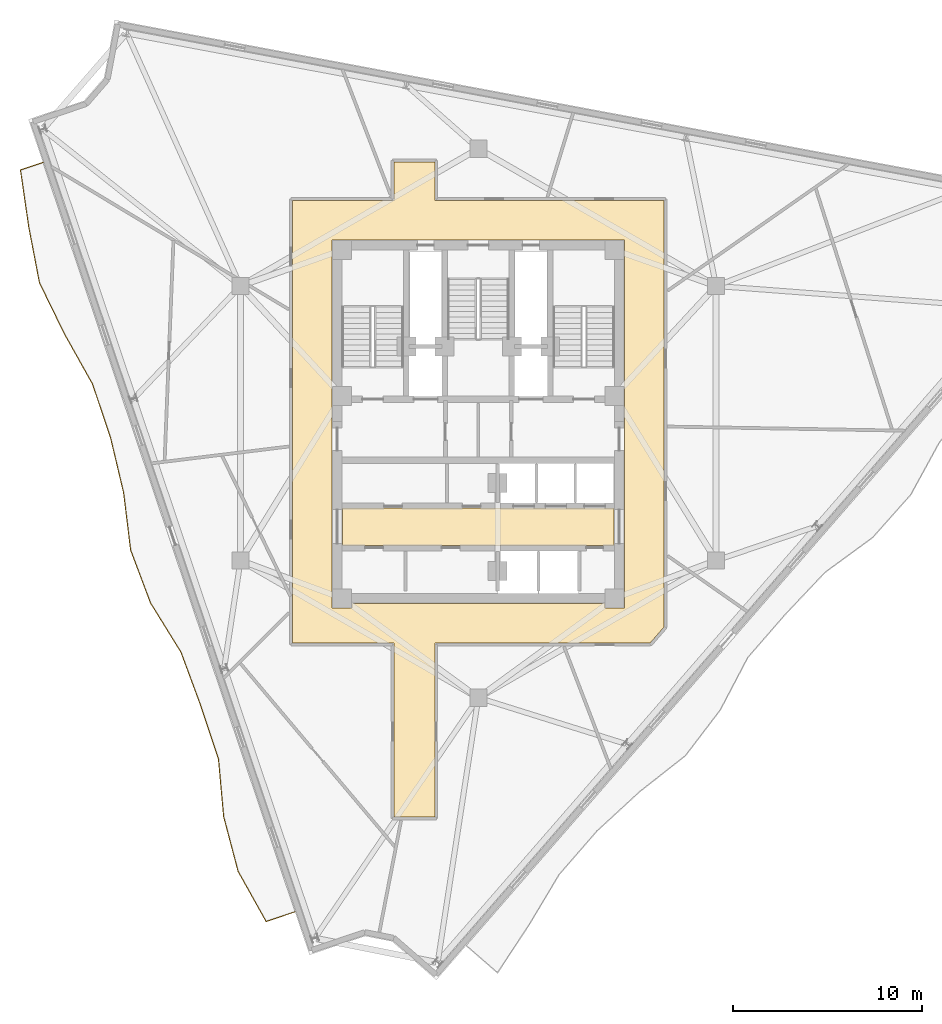
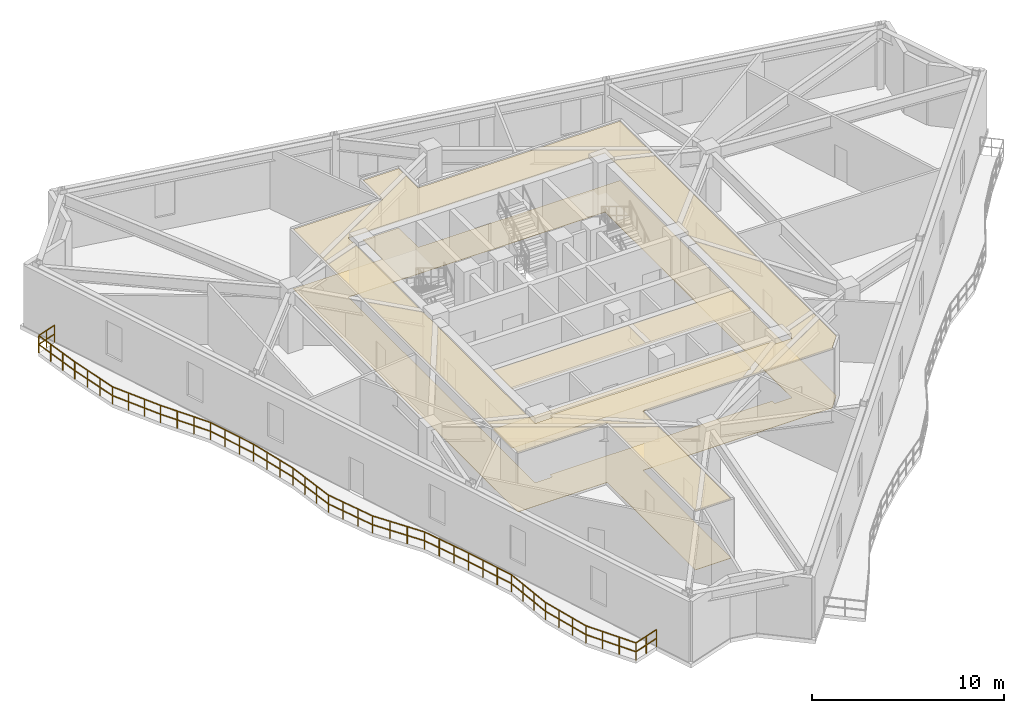
# One storey, part 8 of 10: 4 coverings, 1 railing.
"""IFC4 building model written with IfcOpenShell, lengths in metres."""

from ifc_helpers import new_model, si_unit, direction, frame, origin, origin_2d, place, context, subcontext, project, spatial, polyline, rectangle, outline, extrude, material, layer, layer_set, type_object, element, save


model = new_model("IFC4")

# Units and contexts
model_context = context("Model", 3, precision=1e-05, world=origin(), true_north=direction((0.0, 1.0)))
body_context = subcontext(model_context, "Body", "Model", "MODEL_VIEW")
ifc_project = project(units=[si_unit("LENGTHUNIT", "METRE"), si_unit("AREAUNIT", "SQUARE_METRE"), si_unit("VOLUMEUNIT", "CUBIC_METRE"), si_unit("PLANEANGLEUNIT", "RADIAN"), si_unit("MASSUNIT", "GRAM", prefix="KILO")], contexts=[model_context])

# Site, building, storey
site_placement = place(None, origin())
site = spatial("IfcSite", under=ifc_project, at=site_placement, CompositionType="ELEMENT")
building_placement = place(site_placement, origin())
building = spatial("IfcBuilding", under=site, at=building_placement, Name="Apsidion Concourse Tower", CompositionType="ELEMENT")
storey_placement = place(building_placement, frame((0.0, 0.0, 269.60009765625)))
storey = spatial("IfcBuildingStorey", under=building, at=storey_placement, Name="L63", CompositionType="ELEMENT", Elevation=269.60009765625)

# Coverings
ifc_material_1 = material(Name="Acoustic mineral fibre ceiling")
ifc_layer_1 = layer(ifc_material_1, 0.0400390625)
ifc_layer_set_1 = layer_set([ifc_layer_1], Name="Acoustic mineral fibre ceiling")
covering_type_1 = type_object("IfcCoveringType", Name="COV-CEIL-40", PredefinedType="CEILING", material=ifc_layer_set_1)
covering_1_placement = place(storey_placement, frame((0.0, 0.0, 3.75)))
element("IfcCovering", 1, at=covering_1_placement, inside=storey, type_object=covering_type_1, Name="L63 Acoustic Ceiling Grid 1", PredefinedType="CEILING", context=body_context, shape_type="SweptSolid", body=[
    extrude(outline(polyline([(-7.179931640625, -6.449951171875), (-7.179931640625, -4.47998046875), (7.179931640625, -4.47998046875), (7.179931640625, -6.449951171875), (-7.179931640625, -6.449951171875)])), origin(), (0.0, 0.0, 1.0), 0.039794921875),
])
covering_2_placement = place(storey_placement, frame((0.0, 0.0, 3.75)))
element("IfcCovering", 2, at=covering_2_placement, inside=storey, type_object=covering_type_1, Name="L63 Acoustic Ceiling Grid 2", PredefinedType="CEILING", context=body_context, shape_type="SweptSolid", body=[
    extrude(outline(polyline([(-9.820068359375, -11.6201171875), (-9.820068359375, 11.77001953125), (-4.449951171875, 11.77001953125), (-4.449951171875, 13.800048828125), (-2.300048828125, 13.800048828125), (-2.300048828125, 11.77001953125), (9.820068359375, 11.77001953125), (9.820068359375, -10.75341796875), (9.06689453125, -11.6201171875), (-2.300048828125, -11.6201171875), (-2.300048828125, -20.800048828125), (-4.449951171875, -20.800048828125), (-4.449951171875, -11.6201171875), (-9.820068359375, -11.6201171875)]), holes=[polyline([(7.699951171875, 9.669921875), (6.699951171875, 9.669921875), (-2.300048828125, 9.669921875), (-4.449951171875, 9.669921875), (-6.699951171875, 9.669921875), (-7.699951171875, 9.669921875), (-7.719970703125, 9.669921875), (-7.719970703125, 9.64990234375), (-7.719970703125, 8.64990234375), (-7.719970703125, 1.949951171875), (-7.719970703125, 0.949951171875), (-7.719970703125, -8.75), (-7.719970703125, -9.52001953125), (-7.719970703125, -9.75), (-7.719970703125, -9.751953125), (-7.719482421875, -9.75390625), (-7.718994140625, -9.755859375), (-7.718505859375, -9.7578125), (-7.717529296875, -9.759521484375), (-7.716552734375, -9.760986328125), (-7.715576171875, -9.7626953125), (-7.714111328125, -9.76416015625), (-7.712646484375, -9.765380859375), (-7.711181640625, -9.7666015625), (-7.70947265625, -9.767578125), (-7.707763671875, -9.7685546875), (-7.705810546875, -9.76904296875), (-7.703857421875, -9.76953125), (-7.701904296875, -9.77001953125), (-7.699951171875, -9.77001953125), (-6.699951171875, -9.77001953125), (-6.697998046875, -9.77001953125), (-6.696044921875, -9.76953125), (-6.694091796875, -9.76904296875), (-6.6923828125, -9.7685546875), (-6.690673828125, -9.767578125), (-6.68896484375, -9.7666015625), (-6.687255859375, -9.765380859375), (-6.685791015625, -9.76416015625), (-6.6845703125, -9.7626953125), (-6.683349609375, -9.760986328125), (-6.682373046875, -9.759521484375), (-6.681396484375, -9.7578125), (-6.680908203125, -9.755859375), (-6.680419921875, -9.75390625), (-6.68017578125, -9.751953125), (-6.679931640625, -9.75), (-6.679931640625, -9.52001953125), (-4.449951171875, -9.52001953125), (-2.300048828125, -9.52001953125), (6.679931640625, -9.52001953125), (6.679931640625, -9.75), (6.68017578125, -9.751953125), (6.680419921875, -9.75390625), (6.680908203125, -9.755859375), (6.681396484375, -9.7578125), (6.682373046875, -9.759521484375), (6.683349609375, -9.760986328125), (6.6845703125, -9.7626953125), (6.685791015625, -9.76416015625), (6.687255859375, -9.765380859375), (6.68896484375, -9.7666015625), (6.690673828125, -9.767578125), (6.6923828125, -9.7685546875), (6.694091796875, -9.76904296875), (6.696044921875, -9.76953125), (6.697998046875, -9.77001953125), (6.699951171875, -9.77001953125), (7.699951171875, -9.77001953125), (7.701904296875, -9.77001953125), (7.703857421875, -9.76953125), (7.705810546875, -9.76904296875), (7.707763671875, -9.7685546875), (7.70947265625, -9.767578125), (7.711181640625, -9.7666015625), (7.712646484375, -9.765380859375), (7.714111328125, -9.76416015625), (7.715576171875, -9.7626953125), (7.716552734375, -9.760986328125), (7.717529296875, -9.759521484375), (7.718505859375, -9.7578125), (7.718994140625, -9.755859375), (7.719482421875, -9.75390625), (7.719970703125, -9.751953125), (7.719970703125, -9.75), (7.719970703125, -9.52001953125), (7.719970703125, -8.75), (7.719970703125, 0.949951171875), (7.719970703125, 1.949951171875), (7.719970703125, 8.64990234375), (7.719970703125, 9.64990234375), (7.719970703125, 9.669921875), (7.699951171875, 9.669921875)])]), origin(), (0.0, 0.0, 1.0), 0.039794921875),
])
ifc_material_2 = material(Name="Honed travertine floor finish", Category="masonry")
ifc_layer_2 = layer(ifc_material_2, 0.02001953125)
ifc_layer_set_2 = layer_set([ifc_layer_2], Name="Honed travertine floor finish")
covering_type_2 = type_object("IfcCoveringType", Name="COV-FLOR-20", PredefinedType="FLOORING", material=ifc_layer_set_2)
covering_3_placement = place(storey_placement, origin())
element("IfcCovering", 3, at=covering_3_placement, inside=storey, type_object=covering_type_2, Name="L63 Honed Travertine Floor Finish 1", PredefinedType="FLOORING", context=body_context, shape_type="SweptSolid", body=[
    extrude(outline(polyline([(-7.179931640625, -6.449951171875), (-7.179931640625, -4.47998046875), (7.179931640625, -4.47998046875), (7.179931640625, -6.449951171875), (-7.179931640625, -6.449951171875)])), origin(), (0.0, 0.0, 1.0), 0.02001953125),
])
covering_4_placement = place(storey_placement, origin())
element("IfcCovering", 4, at=covering_4_placement, inside=storey, type_object=covering_type_2, Name="L63 Honed Travertine Floor Finish 2", PredefinedType="FLOORING", context=body_context, shape_type="SweptSolid", body=[
    extrude(outline(polyline([(-9.820068359375, -11.6201171875), (-9.820068359375, 11.77001953125), (-4.449951171875, 11.77001953125), (-4.449951171875, 13.800048828125), (-2.300048828125, 13.800048828125), (-2.300048828125, 11.77001953125), (9.820068359375, 11.77001953125), (9.820068359375, -10.75341796875), (9.06689453125, -11.6201171875), (-2.300048828125, -11.6201171875), (-2.300048828125, -20.800048828125), (-4.449951171875, -20.800048828125), (-4.449951171875, -11.6201171875), (-9.820068359375, -11.6201171875)]), holes=[polyline([(7.699951171875, 9.669921875), (6.699951171875, 9.669921875), (-2.300048828125, 9.669921875), (-4.449951171875, 9.669921875), (-6.699951171875, 9.669921875), (-7.699951171875, 9.669921875), (-7.719970703125, 9.669921875), (-7.719970703125, 9.64990234375), (-7.719970703125, 8.64990234375), (-7.719970703125, 1.949951171875), (-7.719970703125, 0.949951171875), (-7.719970703125, -8.75), (-7.719970703125, -9.52001953125), (-7.719970703125, -9.75), (-7.719970703125, -9.751953125), (-7.719482421875, -9.75390625), (-7.718994140625, -9.755859375), (-7.718505859375, -9.7578125), (-7.717529296875, -9.759521484375), (-7.716552734375, -9.760986328125), (-7.715576171875, -9.7626953125), (-7.714111328125, -9.76416015625), (-7.712646484375, -9.765380859375), (-7.711181640625, -9.7666015625), (-7.70947265625, -9.767578125), (-7.707763671875, -9.7685546875), (-7.705810546875, -9.76904296875), (-7.703857421875, -9.76953125), (-7.701904296875, -9.77001953125), (-7.699951171875, -9.77001953125), (-6.699951171875, -9.77001953125), (-6.697998046875, -9.77001953125), (-6.696044921875, -9.76953125), (-6.694091796875, -9.76904296875), (-6.6923828125, -9.7685546875), (-6.690673828125, -9.767578125), (-6.68896484375, -9.7666015625), (-6.687255859375, -9.765380859375), (-6.685791015625, -9.76416015625), (-6.6845703125, -9.7626953125), (-6.683349609375, -9.760986328125), (-6.682373046875, -9.759521484375), (-6.681396484375, -9.7578125), (-6.680908203125, -9.755859375), (-6.680419921875, -9.75390625), (-6.68017578125, -9.751953125), (-6.679931640625, -9.75), (-6.679931640625, -9.52001953125), (-4.449951171875, -9.52001953125), (-2.300048828125, -9.52001953125), (6.679931640625, -9.52001953125), (6.679931640625, -9.75), (6.68017578125, -9.751953125), (6.680419921875, -9.75390625), (6.680908203125, -9.755859375), (6.681396484375, -9.7578125), (6.682373046875, -9.759521484375), (6.683349609375, -9.760986328125), (6.6845703125, -9.7626953125), (6.685791015625, -9.76416015625), (6.687255859375, -9.765380859375), (6.68896484375, -9.7666015625), (6.690673828125, -9.767578125), (6.6923828125, -9.7685546875), (6.694091796875, -9.76904296875), (6.696044921875, -9.76953125), (6.697998046875, -9.77001953125), (6.699951171875, -9.77001953125), (7.699951171875, -9.77001953125), (7.701904296875, -9.77001953125), (7.703857421875, -9.76953125), (7.705810546875, -9.76904296875), (7.707763671875, -9.7685546875), (7.70947265625, -9.767578125), (7.711181640625, -9.7666015625), (7.712646484375, -9.765380859375), (7.714111328125, -9.76416015625), (7.715576171875, -9.7626953125), (7.716552734375, -9.760986328125), (7.717529296875, -9.759521484375), (7.718505859375, -9.7578125), (7.718994140625, -9.755859375), (7.719482421875, -9.75390625), (7.719970703125, -9.751953125), (7.719970703125, -9.75), (7.719970703125, -9.52001953125), (7.719970703125, -8.75), (7.719970703125, 0.949951171875), (7.719970703125, 1.949951171875), (7.719970703125, 8.64990234375), (7.719970703125, 9.64990234375), (7.719970703125, 9.669921875), (7.699951171875, 9.669921875)])]), origin(), (0.0, 0.0, 1.0), 0.02001953125),
])

# Railing
ifc_material_3 = material(Name="Brushed stainless steel 316", Category="steel")
railing_type = type_object("IfcRailingType", Name="RL-BAL-1120", PredefinedType="BALUSTRADE", material=ifc_material_3)
railing_placement = place(storey_placement, frame((-9.681396484375, -25.806884765625, 0.0)))
element("IfcRailing", 5, at=railing_placement, inside=storey, type_object=railing_type, Name="L63 Face 1 Rippling Balcony Balustrade", PredefinedType="BALUSTRADE", context=body_context, shape_type="SweptSolid", body=[
    extrude(rectangle(XDim=0.048095703125, YDim=0.048095703125, at=origin_2d()), frame((0.0, 0.0, 1.09619140625), z_axis=(-0.947831031044, -0.318773174202, 0.0), x_axis=(0.318773174202, -0.947831031044, 0.0)), (0.0, 0.0, 1.0), 1.610595703125),
    extrude(rectangle(XDim=0.048095703125, YDim=0.048095703125, at=origin_2d()), frame((0.0, 0.0, 0.5361328125), z_axis=(-0.947831031044, -0.318773174202, 0.0), x_axis=(0.318773174202, -0.947831031044, 0.0)), (0.0, 0.0, 1.0), 1.610595703125),
    extrude(rectangle(XDim=0.048095703125, YDim=0.048095703125, at=origin_2d()), frame((-1.526611328125, -0.513427734375, 1.09619140625), z_axis=(-0.488052119207, 0.872814487126, 0.0), x_axis=(-0.872814487126, -0.488052119207, 0.0)), (0.0, 0.0, 1.0), 3.034912109375),
    extrude(rectangle(XDim=0.048095703125, YDim=0.048095703125, at=origin_2d()), frame((-1.526611328125, -0.513427734375, 0.5361328125), z_axis=(-0.488052119207, 0.872814487126, 0.0), x_axis=(-0.872814487126, -0.488052119207, 0.0)), (0.0, 0.0, 1.0), 3.034912109375),
    extrude(rectangle(XDim=0.048095703125, YDim=0.048095703125, at=origin_2d()), frame((-3.0078125, 2.135498046875, 1.09619140625), z_axis=(-0.255369517298, 0.966843529034, 0.0), x_axis=(-0.966843529034, -0.255369517298, 0.0)), (0.0, 0.0, 1.0), 2.989501953125),
    extrude(rectangle(XDim=0.048095703125, YDim=0.048095703125, at=origin_2d()), frame((-3.0078125, 2.135498046875, 0.5361328125), z_axis=(-0.255369517298, 0.966843529034, 0.0), x_axis=(-0.966843529034, -0.255369517298, 0.0)), (0.0, 0.0, 1.0), 2.989501953125),
    extrude(rectangle(XDim=0.048095703125, YDim=0.048095703125, at=origin_2d()), frame((-3.771240234375, 5.02587890625, 1.09619140625), z_axis=(-0.089624277013, 0.995975646775, 0.0), x_axis=(-0.995975646775, -0.089624277013, 0.0)), (0.0, 0.0, 1.0), 3.0673828125),
    extrude(rectangle(XDim=0.048095703125, YDim=0.048095703125, at=origin_2d()), frame((-3.771240234375, 5.02587890625, 0.5361328125), z_axis=(-0.089624277013, 0.995975646775, 0.0), x_axis=(-0.995975646775, -0.089624277013, 0.0)), (0.0, 0.0, 1.0), 3.0673828125),
    extrude(rectangle(XDim=0.048095703125, YDim=0.048095703125, at=origin_2d()), frame((-4.046142578125, 8.080810546875, 1.09619140625), z_axis=(-0.316399628189, 0.948625993362, 0.0), x_axis=(-0.948625993362, -0.316399628189, 0.0)), (0.0, 0.0, 1.0), 2.983154296875),
    extrude(rectangle(XDim=0.048095703125, YDim=0.048095703125, at=origin_2d()), frame((-4.046142578125, 8.080810546875, 0.5361328125), z_axis=(-0.316399628189, 0.948625993362, 0.0), x_axis=(-0.948625993362, -0.316399628189, 0.0)), (0.0, 0.0, 1.0), 2.983154296875),
    extrude(rectangle(XDim=0.048095703125, YDim=0.048095703125, at=origin_2d()), frame((-4.989990234375, 10.91064453125, 1.09619140625), z_axis=(-0.346618846291, 0.938006063624, 0.0), x_axis=(-0.938006063624, -0.346618846291, 0.0)), (0.0, 0.0, 1.0), 2.984375),
    extrude(rectangle(XDim=0.048095703125, YDim=0.048095703125, at=origin_2d()), frame((-4.989990234375, 10.91064453125, 0.5361328125), z_axis=(-0.346618846291, 0.938006063624, 0.0), x_axis=(-0.938006063624, -0.346618846291, 0.0)), (0.0, 0.0, 1.0), 2.984375),
    extrude(rectangle(XDim=0.048095703125, YDim=0.048095703125, at=origin_2d()), frame((-6.0244140625, 13.7099609375, 1.09619140625), z_axis=(-0.525808467121, 0.850602995471, 0.0), x_axis=(-0.850602995471, -0.525808467121, 0.0)), (0.0, 0.0, 1.0), 3.06298828125),
    extrude(rectangle(XDim=0.048095703125, YDim=0.048095703125, at=origin_2d()), frame((-6.0244140625, 13.7099609375, 0.5361328125), z_axis=(-0.525808467121, 0.850602995471, 0.0), x_axis=(-0.850602995471, -0.525808467121, 0.0)), (0.0, 0.0, 1.0), 3.06298828125),
    extrude(rectangle(XDim=0.048095703125, YDim=0.048095703125, at=origin_2d()), frame((-7.635009765625, 16.3154296875, 1.09619140625), z_axis=(-0.352019597861, 0.93599262963, 0.0), x_axis=(-0.93599262963, -0.352019597861, 0.0)), (0.0, 0.0, 1.0), 2.985107421875),
    extrude(rectangle(XDim=0.048095703125, YDim=0.048095703125, at=origin_2d()), frame((-7.635009765625, 16.3154296875, 0.5361328125), z_axis=(-0.352019597861, 0.93599262963, 0.0), x_axis=(-0.93599262963, -0.352019597861, 0.0)), (0.0, 0.0, 1.0), 2.985107421875),
    extrude(rectangle(XDim=0.048095703125, YDim=0.048095703125, at=origin_2d()), frame((-8.685791015625, 19.109375, 1.09619140625), z_axis=(-0.12113336782, 0.992636241128, 0.0), x_axis=(-0.992636241128, -0.12113336782, 0.0)), (0.0, 0.0, 1.0), 3.04541015625),
    extrude(rectangle(XDim=0.048095703125, YDim=0.048095703125, at=origin_2d()), frame((-8.685791015625, 19.109375, 0.5361328125), z_axis=(-0.12113336782, 0.992636241128, 0.0), x_axis=(-0.992636241128, -0.12113336782, 0.0)), (0.0, 0.0, 1.0), 3.04541015625),
    extrude(rectangle(XDim=0.048095703125, YDim=0.048095703125, at=origin_2d()), frame((-9.0546875, 22.13232421875, 1.09619140625), z_axis=(-0.23087860013, 0.972982565107, 0.0), x_axis=(-0.972982565107, -0.23087860013, 0.0)), (0.0, 0.0, 1.0), 2.995849609375),
    extrude(rectangle(XDim=0.048095703125, YDim=0.048095703125, at=origin_2d()), frame((-9.0546875, 22.13232421875, 0.5361328125), z_axis=(-0.23087860013, 0.972982565107, 0.0), x_axis=(-0.972982565107, -0.23087860013, 0.0)), (0.0, 0.0, 1.0), 2.995849609375),
    extrude(rectangle(XDim=0.048095703125, YDim=0.048095703125, at=origin_2d()), frame((-9.746337890625, 25.047119140625, 1.09619140625), z_axis=(-0.318878393992, 0.947795637173, 0.0), x_axis=(-0.947795637173, -0.318878393992, 0.0)), (0.0, 0.0, 1.0), 2.98291015625),
    extrude(rectangle(XDim=0.048095703125, YDim=0.048095703125, at=origin_2d()), frame((-9.746337890625, 25.047119140625, 0.5361328125), z_axis=(-0.318878393992, 0.947795637173, 0.0), x_axis=(-0.947795637173, -0.318878393992, 0.0)), (0.0, 0.0, 1.0), 2.98291015625),
    extrude(rectangle(XDim=0.048095703125, YDim=0.048095703125, at=origin_2d()), frame((-10.697509765625, 27.874267578125, 1.09619140625), z_axis=(-0.488515200131, 0.872555384627, 0.0), x_axis=(-0.872555384627, -0.488515200131, 0.0)), (0.0, 0.0, 1.0), 3.03564453125),
    extrude(rectangle(XDim=0.048095703125, YDim=0.048095703125, at=origin_2d()), frame((-10.697509765625, 27.874267578125, 0.5361328125), z_axis=(-0.488515200131, 0.872555384627, 0.0), x_axis=(-0.872555384627, -0.488515200131, 0.0)), (0.0, 0.0, 1.0), 3.03564453125),
    extrude(rectangle(XDim=0.048095703125, YDim=0.048095703125, at=origin_2d()), frame((-12.180419921875, 30.52294921875, 1.09619140625), z_axis=(-0.438818535332, 0.898575702459, 0.0), x_axis=(-0.898575702459, -0.438818535332, 0.0)), (0.0, 0.0, 1.0), 3.00830078125),
    extrude(rectangle(XDim=0.048095703125, YDim=0.048095703125, at=origin_2d()), frame((-12.180419921875, 30.52294921875, 0.5361328125), z_axis=(-0.438818535332, 0.898575702459, 0.0), x_axis=(-0.898575702459, -0.438818535332, 0.0)), (0.0, 0.0, 1.0), 3.00830078125),
    extrude(rectangle(XDim=0.048095703125, YDim=0.048095703125, at=origin_2d()), frame((-13.50048828125, 33.22607421875, 1.09619140625), z_axis=(-0.188468389133, 0.982079256627, 0.0), x_axis=(-0.982079256627, -0.188468389133, 0.0)), (0.0, 0.0, 1.0), 3.010498046875),
    extrude(rectangle(XDim=0.048095703125, YDim=0.048095703125, at=origin_2d()), frame((-13.50048828125, 33.22607421875, 0.5361328125), z_axis=(-0.188468389133, 0.982079256627, 0.0), x_axis=(-0.982079256627, -0.188468389133, 0.0)), (0.0, 0.0, 1.0), 3.010498046875),
    extrude(rectangle(XDim=0.048095703125, YDim=0.048095703125, at=origin_2d()), frame((-14.06787109375, 36.1826171875, 1.09619140625), z_axis=(-0.143393643859, 0.989665732912, 0.0), x_axis=(-0.989665732912, -0.143393643859, 0.0)), (0.0, 0.0, 1.0), 3.0322265625),
    extrude(rectangle(XDim=0.048095703125, YDim=0.048095703125, at=origin_2d()), frame((-14.06787109375, 36.1826171875, 0.5361328125), z_axis=(-0.143393643859, 0.989665732912, 0.0), x_axis=(-0.989665732912, -0.143393643859, 0.0)), (0.0, 0.0, 1.0), 3.0322265625),
    extrude(rectangle(XDim=0.048095703125, YDim=0.048095703125, at=origin_2d()), frame((-14.502685546875, 39.18359375, 1.09619140625), z_axis=(0.947761229597, 0.318980644669, 0.0), x_axis=(-0.318980644669, 0.947761229597, 0.0)), (0.0, 0.0, 1.0), 1.249755859375),
    extrude(rectangle(XDim=0.048095703125, YDim=0.048095703125, at=origin_2d()), frame((-14.502685546875, 39.18359375, 0.5361328125), z_axis=(0.947761229597, 0.318980644669, 0.0), x_axis=(-0.318980644669, 0.947761229597, 0.0)), (0.0, 0.0, 1.0), 1.249755859375),
    extrude(rectangle(XDim=0.0419921875, YDim=0.0419921875, at=origin_2d()), origin(), (0.0, 0.0, 1.0), 1.072021484375),
    extrude(rectangle(XDim=0.0419921875, YDim=0.0419921875, at=origin_2d()), frame((-0.76318359375, -0.2568359375, 0.0)), (0.0, 0.0, 1.0), 1.072021484375),
    extrude(rectangle(XDim=0.0419921875, YDim=0.0419921875, at=origin_2d()), frame((-1.526611328125, -0.513427734375, 0.0)), (0.0, 0.0, 1.0), 1.072021484375),
    extrude(rectangle(XDim=0.0419921875, YDim=0.0419921875, at=origin_2d()), frame((-2.020263671875, 0.36962890625, 0.0)), (0.0, 0.0, 1.0), 1.072021484375),
    extrude(rectangle(XDim=0.0419921875, YDim=0.0419921875, at=origin_2d()), frame((-2.51416015625, 1.25244140625, 0.0)), (0.0, 0.0, 1.0), 1.072021484375),
    extrude(rectangle(XDim=0.0419921875, YDim=0.0419921875, at=origin_2d()), frame((-3.0078125, 2.135498046875, 0.0)), (0.0, 0.0, 1.0), 1.072021484375),
    extrude(rectangle(XDim=0.0419921875, YDim=0.0419921875, at=origin_2d()), frame((-3.26220703125, 3.098876953125, 0.0)), (0.0, 0.0, 1.0), 1.072021484375),
    extrude(rectangle(XDim=0.0419921875, YDim=0.0419921875, at=origin_2d()), frame((-3.516845703125, 4.0625, 0.0)), (0.0, 0.0, 1.0), 1.072021484375),
    extrude(rectangle(XDim=0.0419921875, YDim=0.0419921875, at=origin_2d()), frame((-3.771240234375, 5.02587890625, 0.0)), (0.0, 0.0, 1.0), 1.072021484375),
    extrude(rectangle(XDim=0.0419921875, YDim=0.0419921875, at=origin_2d()), frame((-3.86279296875, 6.044189453125, 0.0)), (0.0, 0.0, 1.0), 1.072021484375),
    extrude(rectangle(XDim=0.0419921875, YDim=0.0419921875, at=origin_2d()), frame((-3.95458984375, 7.0625, 0.0)), (0.0, 0.0, 1.0), 1.072021484375),
    extrude(rectangle(XDim=0.0419921875, YDim=0.0419921875, at=origin_2d()), frame((-4.046142578125, 8.080810546875, 0.0)), (0.0, 0.0, 1.0), 1.072021484375),
    extrude(rectangle(XDim=0.0419921875, YDim=0.0419921875, at=origin_2d()), frame((-4.36083984375, 9.024169921875, 0.0)), (0.0, 0.0, 1.0), 1.072021484375),
    extrude(rectangle(XDim=0.0419921875, YDim=0.0419921875, at=origin_2d()), frame((-4.67529296875, 9.96728515625, 0.0)), (0.0, 0.0, 1.0), 1.072021484375),
    extrude(rectangle(XDim=0.0419921875, YDim=0.0419921875, at=origin_2d()), frame((-4.989990234375, 10.91064453125, 0.0)), (0.0, 0.0, 1.0), 1.072021484375),
    extrude(rectangle(XDim=0.0419921875, YDim=0.0419921875, at=origin_2d()), frame((-5.334716796875, 11.84375, 0.0)), (0.0, 0.0, 1.0), 1.072021484375),
    extrude(rectangle(XDim=0.0419921875, YDim=0.0419921875, at=origin_2d()), frame((-5.6796875, 12.77685546875, 0.0)), (0.0, 0.0, 1.0), 1.072021484375),
    extrude(rectangle(XDim=0.0419921875, YDim=0.0419921875, at=origin_2d()), frame((-6.0244140625, 13.7099609375, 0.0)), (0.0, 0.0, 1.0), 1.072021484375),
    extrude(rectangle(XDim=0.0419921875, YDim=0.0419921875, at=origin_2d()), frame((-6.561279296875, 14.578369140625, 0.0)), (0.0, 0.0, 1.0), 1.072021484375),
    extrude(rectangle(XDim=0.0419921875, YDim=0.0419921875, at=origin_2d()), frame((-7.09814453125, 15.447021484375, 0.0)), (0.0, 0.0, 1.0), 1.072021484375),
    extrude(rectangle(XDim=0.0419921875, YDim=0.0419921875, at=origin_2d()), frame((-7.635009765625, 16.3154296875, 0.0)), (0.0, 0.0, 1.0), 1.072021484375),
    extrude(rectangle(XDim=0.0419921875, YDim=0.0419921875, at=origin_2d()), frame((-7.9853515625, 17.246826171875, 0.0)), (0.0, 0.0, 1.0), 1.072021484375),
    extrude(rectangle(XDim=0.0419921875, YDim=0.0419921875, at=origin_2d()), frame((-8.33544921875, 18.177978515625, 0.0)), (0.0, 0.0, 1.0), 1.072021484375),
    extrude(rectangle(XDim=0.0419921875, YDim=0.0419921875, at=origin_2d()), frame((-8.685791015625, 19.109375, 0.0)), (0.0, 0.0, 1.0), 1.072021484375),
    extrude(rectangle(XDim=0.0419921875, YDim=0.0419921875, at=origin_2d()), frame((-8.808837890625, 20.116943359375, 0.0)), (0.0, 0.0, 1.0), 1.072021484375),
    extrude(rectangle(XDim=0.0419921875, YDim=0.0419921875, at=origin_2d()), frame((-8.931640625, 21.124755859375, 0.0)), (0.0, 0.0, 1.0), 1.072021484375),
    extrude(rectangle(XDim=0.0419921875, YDim=0.0419921875, at=origin_2d()), frame((-9.0546875, 22.13232421875, 0.0)), (0.0, 0.0, 1.0), 1.072021484375),
    extrude(rectangle(XDim=0.0419921875, YDim=0.0419921875, at=origin_2d()), frame((-9.28515625, 23.10400390625, 0.0)), (0.0, 0.0, 1.0), 1.072021484375),
    extrude(rectangle(XDim=0.0419921875, YDim=0.0419921875, at=origin_2d()), frame((-9.515869140625, 24.075439453125, 0.0)), (0.0, 0.0, 1.0), 1.072021484375),
    extrude(rectangle(XDim=0.0419921875, YDim=0.0419921875, at=origin_2d()), frame((-9.746337890625, 25.047119140625, 0.0)), (0.0, 0.0, 1.0), 1.072021484375),
    extrude(rectangle(XDim=0.0419921875, YDim=0.0419921875, at=origin_2d()), frame((-10.0634765625, 25.989501953125, 0.0)), (0.0, 0.0, 1.0), 1.072021484375),
    extrude(rectangle(XDim=0.0419921875, YDim=0.0419921875, at=origin_2d()), frame((-10.38037109375, 26.931884765625, 0.0)), (0.0, 0.0, 1.0), 1.072021484375),
    extrude(rectangle(XDim=0.0419921875, YDim=0.0419921875, at=origin_2d()), frame((-10.697509765625, 27.874267578125, 0.0)), (0.0, 0.0, 1.0), 1.072021484375),
    extrude(rectangle(XDim=0.0419921875, YDim=0.0419921875, at=origin_2d()), frame((-11.19189453125, 28.757080078125, 0.0)), (0.0, 0.0, 1.0), 1.072021484375),
    extrude(rectangle(XDim=0.0419921875, YDim=0.0419921875, at=origin_2d()), frame((-11.68603515625, 29.64013671875, 0.0)), (0.0, 0.0, 1.0), 1.072021484375),
    extrude(rectangle(XDim=0.0419921875, YDim=0.0419921875, at=origin_2d()), frame((-12.180419921875, 30.52294921875, 0.0)), (0.0, 0.0, 1.0), 1.072021484375),
    extrude(rectangle(XDim=0.0419921875, YDim=0.0419921875, at=origin_2d()), frame((-12.620361328125, 31.424072265625, 0.0)), (0.0, 0.0, 1.0), 1.072021484375),
    extrude(rectangle(XDim=0.0419921875, YDim=0.0419921875, at=origin_2d()), frame((-13.060546875, 32.324951171875, 0.0)), (0.0, 0.0, 1.0), 1.072021484375),
    extrude(rectangle(XDim=0.0419921875, YDim=0.0419921875, at=origin_2d()), frame((-13.50048828125, 33.22607421875, 0.0)), (0.0, 0.0, 1.0), 1.072021484375),
    extrude(rectangle(XDim=0.0419921875, YDim=0.0419921875, at=origin_2d()), frame((-13.689697265625, 34.211669921875, 0.0)), (0.0, 0.0, 1.0), 1.072021484375),
    extrude(rectangle(XDim=0.0419921875, YDim=0.0419921875, at=origin_2d()), frame((-13.878662109375, 35.197021484375, 0.0)), (0.0, 0.0, 1.0), 1.072021484375),
    extrude(rectangle(XDim=0.0419921875, YDim=0.0419921875, at=origin_2d()), frame((-14.06787109375, 36.1826171875, 0.0)), (0.0, 0.0, 1.0), 1.072021484375),
    extrude(rectangle(XDim=0.0419921875, YDim=0.0419921875, at=origin_2d()), frame((-14.212890625, 37.182861328125, 0.0)), (0.0, 0.0, 1.0), 1.072021484375),
    extrude(rectangle(XDim=0.0419921875, YDim=0.0419921875, at=origin_2d()), frame((-14.357666015625, 38.183349609375, 0.0)), (0.0, 0.0, 1.0), 1.072021484375),
    extrude(rectangle(XDim=0.0419921875, YDim=0.0419921875, at=origin_2d()), frame((-14.502685546875, 39.18359375, 0.0)), (0.0, 0.0, 1.0), 1.072021484375),
    extrude(rectangle(XDim=0.0419921875, YDim=0.0419921875, at=origin_2d()), frame((-13.910400390625, 39.3828125, 0.0)), (0.0, 0.0, 1.0), 1.072021484375),
    extrude(rectangle(XDim=0.0419921875, YDim=0.0419921875, at=origin_2d()), frame((-13.318115234375, 39.582275390625, 0.0)), (0.0, 0.0, 1.0), 1.072021484375),
])

save(model, "model.ifc")
